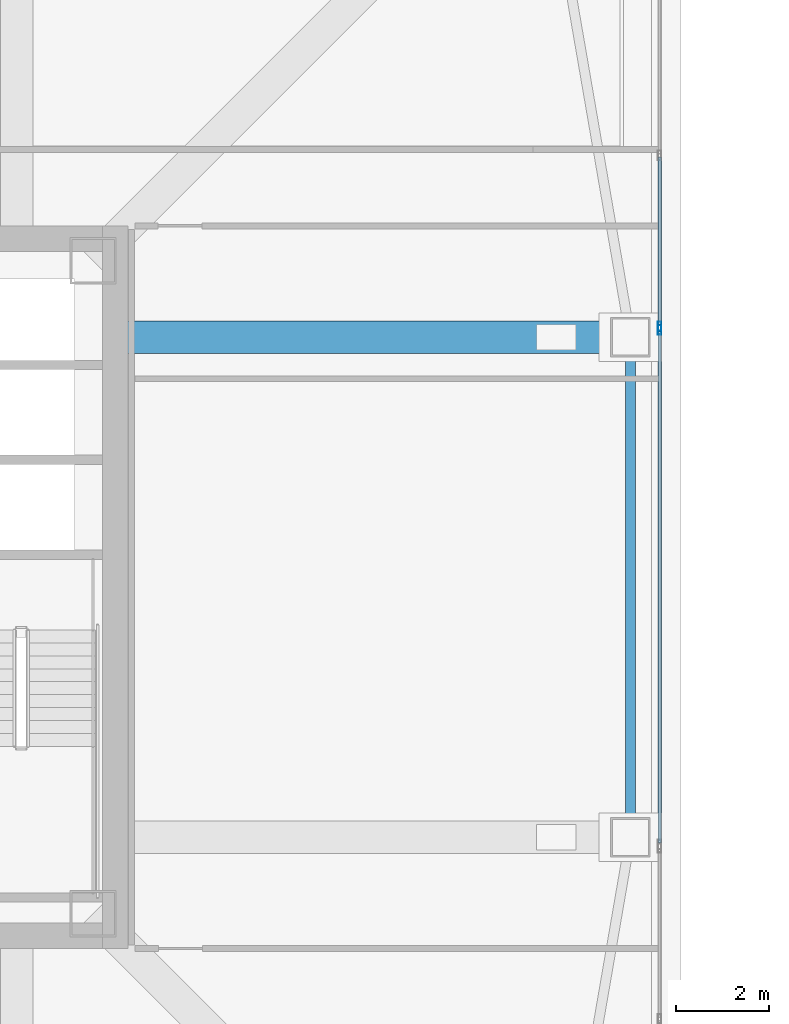
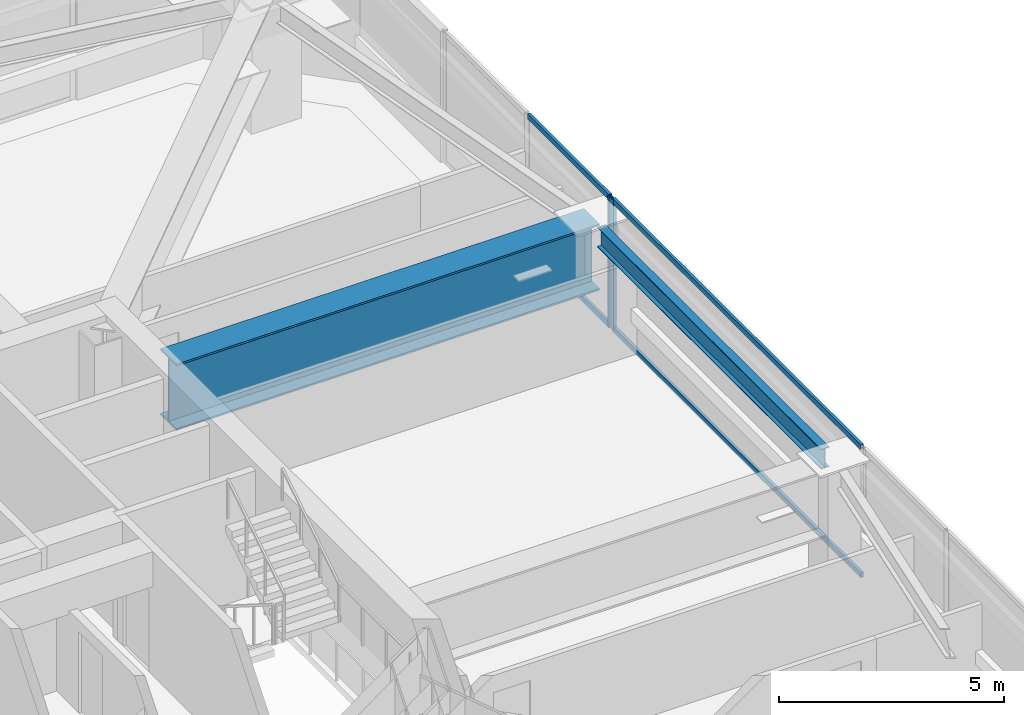
# One storey, part 10 of 42: 6 members, 2 beams, 2 elements without a shape of their own.
"""IFC4 building model written with IfcOpenShell, lengths in metres."""

from ifc_helpers import new_model, si_unit, direction, frame, origin, origin_2d, place, context, subcontext, project, spatial, hollow_rectangle, i_section, extrude, material, material_profile, profile_set, type_object, element, aggregate, save


model = new_model("IFC4")

# Units and contexts
model_context = context("Model", 3, precision=1e-05, world=origin(), true_north=direction((0.0, 1.0)))
body_context = subcontext(model_context, "Body", "Model", "MODEL_VIEW")
ifc_project = project(units=[si_unit("LENGTHUNIT", "METRE"), si_unit("AREAUNIT", "SQUARE_METRE"), si_unit("VOLUMEUNIT", "CUBIC_METRE"), si_unit("PLANEANGLEUNIT", "RADIAN"), si_unit("MASSUNIT", "GRAM", prefix="KILO")], contexts=[model_context])

# Site, building, storey
site_placement = place(None, origin())
site = spatial("IfcSite", under=ifc_project, at=site_placement, CompositionType="ELEMENT")
building_placement = place(site_placement, origin())
building = spatial("IfcBuilding", under=site, at=building_placement, Name="Tashvorn Skyway Center", CompositionType="ELEMENT")
storey_placement = place(building_placement, frame((0.0, 0.0, 153.449951171875)))
storey = spatial("IfcBuildingStorey", under=building, at=storey_placement, Name="L41", CompositionType="ELEMENT", Elevation=153.449951171875)

# Beams
ifc_material_1 = material(Name="Steel ASTM A572 Grade 50", Category="steel")
ifc_material_profile_1 = material_profile(ifc_material_1, i_section(OverallWidth=0.699951171875, OverallDepth=1.800048828125, WebThickness=0.031982421875, FlangeThickness=0.050048828125, at=origin_2d()), Name="PG1800x700")
ifc_profile_set_1 = profile_set([ifc_material_profile_1], Name="Steel ASTM A572 Grade 50")
beam_type_1 = type_object("IfcBeamType", Name="BM-BEAM-PG1800x700", PredefinedType="BEAM", material=ifc_profile_set_1)
beam_1_placement = place(storey_placement, frame((60.64990234375, 37.39990234375, 2.469970703125), z_axis=(-1.0, 0.0, 0.0), x_axis=(0.0, -1.0, 0.0)))
element("IfcBeam", 1, at=beam_1_placement, inside=storey, type_object=beam_type_1, Name="Tower 1 L41 Setback Transfer Girder FC-E2", PredefinedType="BEAM", context=body_context, shape_type="SweptSolid", body=[
    extrude(i_section(OverallWidth=0.699951171875, OverallDepth=1.800048828125, WebThickness=0.031982421875, FlangeThickness=0.050048828125, at=origin_2d()), origin(), (0.0, 0.0, 1.0), 10.869873046875),
])
ifc_material_2 = material(Name="Steel ASTM A992 Grade 50", Category="steel")
ifc_material_profile_2 = material_profile(ifc_material_2, i_section(OverallWidth=0.2109375, OverallDepth=0.5390625, WebThickness=0.01171875, FlangeThickness=0.018798828125, at=origin_2d()), Name="W21X73")
ifc_profile_set_2 = profile_set([ifc_material_profile_2], Name="Steel ASTM A992 Grade 50")
beam_type_2 = type_object("IfcBeamType", Name="BM-SPANDREL-W21X73", PredefinedType="SPANDREL", material=ifc_profile_set_2)
beam_2_placement = place(storey_placement, frame((60.64990234375, 27.02001953125, 3.1005859375), z_axis=(0.0, 1.0, 0.0), x_axis=(-1.0, 0.0, 0.0)))
element("IfcBeam", 2, at=beam_2_placement, inside=storey, type_object=beam_type_2, Name="Tower 1 L41 Spandrel Beam 05", PredefinedType="SPANDREL", context=body_context, shape_type="SweptSolid", body=[
    extrude(i_section(OverallWidth=0.2109375, OverallDepth=0.5390625, WebThickness=0.01171875, FlangeThickness=0.018798828125, at=origin_2d()), origin(), (0.0, 0.0, 1.0), 9.9599609375),
])

# Curtain wall, member
ifc_material_3 = material(Name="Thermally broken bronze-anodized aluminium 6063-T6", Category="aluminium")
curtain_wall_type = type_object("IfcCurtainWallType", Name="CW-CW-Z3", PredefinedType="NOTDEFINED", material=ifc_material_3)
curtain_wall_1_placement = place(storey_placement, origin())
curtain_wall_1 = element("IfcCurtainWall", 3, at=curtain_wall_1_placement, inside=storey, type_object=curtain_wall_type, Name="Tower 1 L41 East Unitised Curtain Wall Glazing Group 1", PredefinedType="NOTDEFINED")
ifc_material_profile_3 = material_profile(ifc_material_3, hollow_rectangle(XDim=0.074951171875, YDim=0.199951171875, WallThickness=0.00439453125, at=origin_2d()), Name="ALU-MULL-75x200")
ifc_profile_set_3 = profile_set([ifc_material_profile_3], Name="Thermally broken bronze-anodized aluminium 6063-T6")
member_type_1 = type_object("IfcMemberType", Name="CWM-CW-Z3", PredefinedType="MULLION", material=ifc_profile_set_3)
member_1_placement = place(storey_placement, frame((61.280029296875, 37.630859375, 0.0), z_axis=(0.0, 0.0, 1.0), x_axis=(1.0, 0.0, 0.0)))
member_1 = element("IfcMember", 4, at=member_1_placement, type_object=member_type_1, Name="CW-Z3 mullion 3", PredefinedType="MULLION", context=body_context, shape_type="SweptSolid", body=[
    extrude(hollow_rectangle(XDim=0.074951171875, YDim=0.199951171875, WallThickness=0.00439453125, at=origin_2d()), origin(), (0.0, 0.0, 1.0), 3.550048828125),
])

curtain_wall_2_placement = place(storey_placement, origin())
curtain_wall_2 = element("IfcCurtainWall", 5, at=curtain_wall_2_placement, inside=storey, type_object=curtain_wall_type, Name="Tower 1 L41 East Unitised Curtain Wall Glazing Group 2", PredefinedType="NOTDEFINED")
member_2_placement = place(storey_placement, frame((61.280029296875, 37.555908203125, 0.0), z_axis=(0.0, 0.0, 1.0), x_axis=(1.0, 0.0, 0.0)))
member_2 = element("IfcMember", 6, at=member_2_placement, type_object=member_type_1, Name="CW-Z3 mullion 1", PredefinedType="MULLION", context=body_context, shape_type="SweptSolid", body=[
    extrude(hollow_rectangle(XDim=0.074951171875, YDim=0.199951171875, WallThickness=0.00439453125, at=origin_2d()), origin(), (0.0, 0.0, 1.0), 3.550048828125),
])

# Member
ifc_material_profile_4 = material_profile(ifc_material_3, hollow_rectangle(XDim=0.074951171875, YDim=0.139892578125, WallThickness=0.004150390625, at=origin_2d()), Name="ALU-TRAN-75x140")
ifc_profile_set_4 = profile_set([ifc_material_profile_4], Name="Thermally broken bronze-anodized aluminium 6063-T6")
member_type_2 = type_object("IfcMemberType", Name="CWT-CW-Z3", PredefinedType="USERDEFINED", material=ifc_profile_set_4)
member_3_placement = place(storey_placement, frame((61.280029296875, 41.28466796875, 0.03759765625), z_axis=(0.0, -1.0, 0.0), x_axis=(1.0, 0.0, 0.0)))
member_3 = element("IfcMember", 7, at=member_3_placement, type_object=member_type_2, Name="CW-Z3 transom 2.1", ObjectType="TRANSOM", PredefinedType="USERDEFINED", context=body_context, shape_type="SweptSolid", body=[
    extrude(hollow_rectangle(XDim=0.074951171875, YDim=0.139892578125, WallThickness=0.004150390625, at=origin_2d()), origin(), (0.0, 0.0, 1.0), 3.616455078125),
])

member_4_placement = place(storey_placement, frame((61.280029296875, 41.28466796875, 3.512451171875), z_axis=(0.0, -1.0, 0.0), x_axis=(1.0, 0.0, 0.0)))
member_4 = element("IfcMember", 8, at=member_4_placement, type_object=member_type_2, Name="CW-Z3 transom 2.2", ObjectType="TRANSOM", PredefinedType="USERDEFINED", context=body_context, shape_type="SweptSolid", body=[
    extrude(hollow_rectangle(XDim=0.074951171875, YDim=0.139892578125, WallThickness=0.004150390625, at=origin_2d()), origin(), (0.0, 0.0, 1.0), 3.616455078125),
])

aggregate(curtain_wall_1, [member_1, member_3, member_4])

member_5_placement = place(storey_placement, frame((61.280029296875, 37.518310546875, 0.03759765625), z_axis=(0.0, -1.0, 0.0), x_axis=(1.0, 0.0, 0.0)))
member_5 = element("IfcMember", 9, at=member_5_placement, type_object=member_type_2, Name="CW-Z3 transom 1.1", ObjectType="TRANSOM", PredefinedType="USERDEFINED", context=body_context, shape_type="SweptSolid", body=[
    extrude(hollow_rectangle(XDim=0.074951171875, YDim=0.139892578125, WallThickness=0.004150390625, at=origin_2d()), origin(), (0.0, 0.0, 1.0), 11.03662109375),
])

member_6_placement = place(storey_placement, frame((61.280029296875, 37.518310546875, 3.512451171875), z_axis=(0.0, -1.0, 0.0), x_axis=(1.0, 0.0, 0.0)))
member_6 = element("IfcMember", 10, at=member_6_placement, type_object=member_type_2, Name="CW-Z3 transom 1.2", ObjectType="TRANSOM", PredefinedType="USERDEFINED", context=body_context, shape_type="SweptSolid", body=[
    extrude(hollow_rectangle(XDim=0.074951171875, YDim=0.139892578125, WallThickness=0.004150390625, at=origin_2d()), origin(), (0.0, 0.0, 1.0), 11.03662109375),
])

aggregate(curtain_wall_2, [member_2, member_5, member_6])

save(model, "model.ifc")
